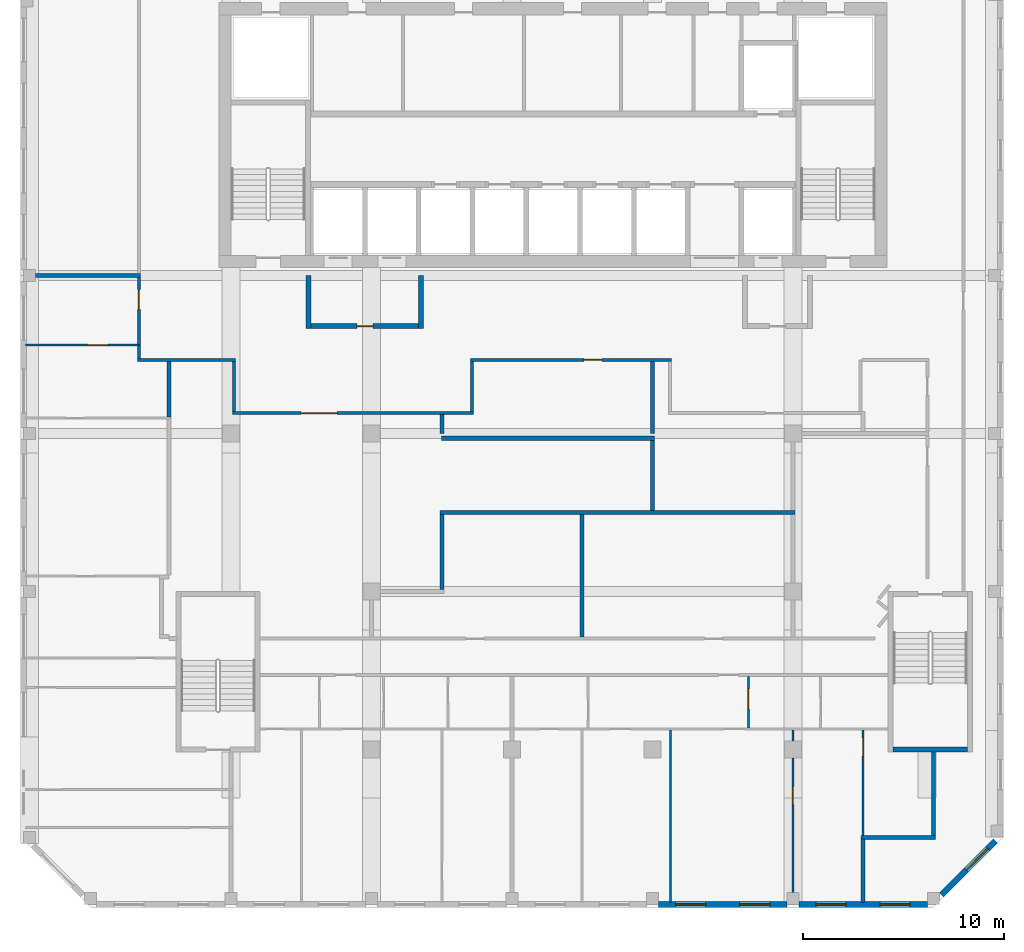
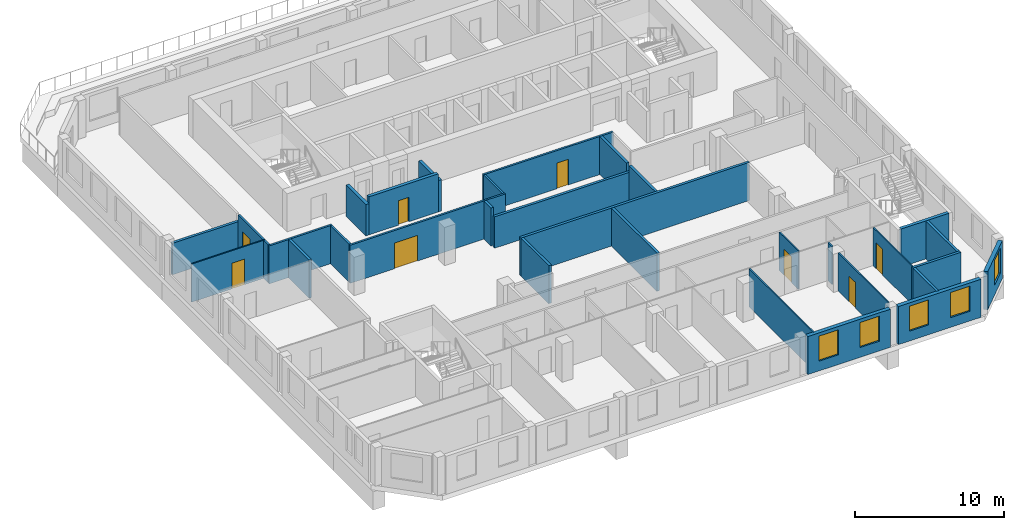
# One storey, part 4 of 12: 32 walls, 8 doors, 5 windows, 13 openings.
"""IFC4 building model written with IfcOpenShell, lengths in metres."""

from ifc_helpers import new_model, si_unit, direction, frame, frame_2d, origin, place, context, subcontext, project, spatial, rectangle, extrude, source, transform, mapped, material, layer, layer_set, type_object, element, fill, save


model = new_model("IFC4")

# Units and contexts
model_context = context("Model", 3, precision=1e-05, world=origin(), true_north=direction((0.0, 1.0)))
body_context = subcontext(model_context, "Body", "Model", "MODEL_VIEW")
ifc_project = project(units=[si_unit("LENGTHUNIT", "METRE"), si_unit("AREAUNIT", "SQUARE_METRE"), si_unit("VOLUMEUNIT", "CUBIC_METRE"), si_unit("PLANEANGLEUNIT", "RADIAN"), si_unit("MASSUNIT", "GRAM", prefix="KILO")], contexts=[model_context])

# Site, building, storey
site_placement = place(None, origin())
site = spatial("IfcSite", under=ifc_project, at=site_placement, CompositionType="ELEMENT")
building_placement = place(site_placement, origin())
building = spatial("IfcBuilding", under=site, at=building_placement, Name="Kilnfold Tower and Market Hall", CompositionType="ELEMENT")
storey_placement = place(building_placement, frame((0.0, 0.0, 295.0)))
storey = spatial("IfcBuildingStorey", under=building, at=storey_placement, Name="L73", CompositionType="ELEMENT", Elevation=295.0)

# Walls
ifc_material_1 = material(Name="Gypsum board on steel studs", Category="steel")
ifc_layer_1 = layer(ifc_material_1, 0.14990234375)
ifc_layer_set_1 = layer_set([ifc_layer_1], Name="Gypsum board on steel studs")
wall_type_1 = type_object("IfcWallType", Name="WALL CORRIDOR 150", PredefinedType="PARTITIONING", material=ifc_layer_set_1)
wall_1_placement = place(storey_placement, frame((-19.675048828125, 3.800048828125, 0.0), z_axis=(0.0, 0.0, 1.0), x_axis=(1.0, 0.0, 0.0)))
element("IfcWall", 1, at=wall_1_placement, inside=storey, type_object=wall_type_1, Name="Partition LY45.1", PredefinedType="PARTITIONING", context=body_context, shape_type="SweptSolid", body=[
    extrude(rectangle(XDim=4.89013671875, YDim=0.14990234375, at=frame_2d((2.445068359375, 0.0))), origin(), (0.0, 0.0, 1.0), 3.1201171875),
])
wall_2_placement = place(storey_placement, frame((-19.60009765625, 3.875, 0.0), z_axis=(0.0, 0.0, 1.0), x_axis=(0.0, 1.0, 0.0)))
element("IfcWall", 2, at=wall_2_placement, inside=storey, type_object=wall_type_1, Name="Partition LY45.2", PredefinedType="PARTITIONING", context=body_context, shape_type="SweptSolid", body=[
    extrude(rectangle(XDim=0.615966796875, YDim=0.14990234375, at=frame_2d((0.30810546875, 0.0))), origin(), (0.0, 0.0, 1.0), 3.1201171875),
])

# Wall, opening, door
wall_3_placement = place(storey_placement, frame((-19.60009765625, 4.571044921875, 0.0), z_axis=(0.0, 0.0, 1.0), x_axis=(0.0, 1.0, 0.0)))
wall_3 = element("IfcWall", 3, at=wall_3_placement, inside=storey, type_object=wall_type_1, Name="Partition LY45.3", PredefinedType="PARTITIONING", context=body_context, shape_type="SweptSolid", body=[
    extrude(rectangle(XDim=3.3388671875, YDim=0.14990234375, at=frame_2d((1.66943359375, 0.0))), origin(), (0.0, 0.0, 1.0), 3.1201171875),
])
opening_1_placement = place(wall_3_placement, frame((1.73095703125, 0.0, 0.0)))
opening_1 = element("IfcOpeningElement", 4, at=opening_1_placement, cuts=wall_3, Name="Opening D1", PredefinedType="OPENING", context=body_context, shape_type="SweptSolid", body=[
    extrude(rectangle(XDim=1.0, YDim=2.10009765625, at=frame_2d((0.5, 1.050048828125))), frame((0.0, 0.0849609375, 0.0), z_axis=(0.0, -1.0, 0.0), x_axis=(1.0, 0.0, 0.0)), (0.0, 0.0, 1.0), 0.169921875),
])
ifc_material_2 = material(Name="Timber veneer door leaf in steel frame", Category="steel")
door_type_1 = type_object("IfcDoorType", Name="DOOR ENTRY 1000 X2100", OperationType="NOTDEFINED", PredefinedType="DOOR", material=ifc_material_2)
door_1_placement = place(opening_1_placement, origin())
door_1 = element("IfcDoor", 5, at=door_1_placement, inside=storey, type_object=door_type_1, Name="Door D1", OperationType="SINGLE_SWING_LEFT", OverallHeight=2.10009765625, OverallWidth=1.0, PredefinedType="DOOR", context=body_context, shape_type="SweptSolid", body=[
    extrude(rectangle(XDim=1.0, YDim=2.10009765625, at=frame_2d((0.5, 1.050048828125))), frame((0.0, 0.02490234375, 0.0), z_axis=(0.0, -1.0, 0.0), x_axis=(1.0, 0.0, 0.0)), (0.0, 0.0, 1.0), 0.050048828125),
])
fill(opening_1, door_1)

wall_4_placement = place(storey_placement, frame((-14.93505859375, 1.14990234375, 0.0), z_axis=(0.0, 0.0, 1.0), x_axis=(1.0, 0.0, 0.0)))
wall_4 = element("IfcWall", 6, at=wall_4_placement, inside=storey, type_object=wall_type_1, Name="Partition LY45.9", PredefinedType="PARTITIONING", context=body_context, shape_type="SweptSolid", body=[
    extrude(rectangle(XDim=12.010009765625, YDim=0.14990234375, at=frame_2d((6.0048828125, 0.0))), origin(), (0.0, 0.0, 1.0), 3.1201171875),
])
opening_2_placement = place(wall_4_placement, frame((3.41796875, 0.0, 0.0)))
opening_2 = element("IfcOpeningElement", 7, at=opening_2_placement, cuts=wall_4, Name="Opening D5", PredefinedType="OPENING", context=body_context, shape_type="SweptSolid", body=[
    extrude(rectangle(XDim=1.800048828125, YDim=2.10009765625, at=frame_2d((0.89990234375, 1.050048828125))), frame((0.0, 0.0849609375, 0.0), z_axis=(0.0, -1.0, 0.0), x_axis=(1.0, 0.0, 0.0)), (0.0, 0.0, 1.0), 0.169921875),
])
ifc_material_3 = material(Name="Timber veneer door leaf in steel frame", Category="steel")
door_type_2 = type_object("IfcDoorType", Name="DOOR DOUBLE 1800 X2100", OperationType="NOTDEFINED", PredefinedType="DOOR", material=ifc_material_3)
door_2_placement = place(opening_2_placement, origin())
door_2 = element("IfcDoor", 8, at=door_2_placement, inside=storey, type_object=door_type_2, Name="Door D5", OperationType="DOUBLE_DOOR_SINGLE_SWING", OverallHeight=2.10009765625, OverallWidth=1.800048828125, PredefinedType="DOOR", context=body_context, shape_type="SweptSolid", body=[
    extrude(rectangle(XDim=1.800048828125, YDim=2.10009765625, at=frame_2d((0.89990234375, 1.050048828125))), frame((0.0, 0.02490234375, 0.0), z_axis=(0.0, -1.0, 0.0), x_axis=(1.0, 0.0, 0.0)), (0.0, 0.0, 1.0), 0.050048828125),
])
fill(opening_2, door_2)

# Wall
wall_5_placement = place(storey_placement, frame((-14.860107421875, 3.72509765625, 0.0), z_axis=(0.0, 0.0, 1.0), x_axis=(0.0, -1.0, 0.0)))
element("IfcWall", 9, at=wall_5_placement, inside=storey, type_object=wall_type_1, Name="Partition LY45.10", PredefinedType="PARTITIONING", context=body_context, shape_type="SweptSolid", body=[
    extrude(rectangle(XDim=2.5, YDim=0.14990234375, at=frame_2d((1.25, 0.0))), origin(), (0.0, 0.0, 1.0), 3.1201171875),
])

# Wall, opening, door
wall_6_placement = place(storey_placement, frame((-3.074951171875, 3.800048828125, 0.0), z_axis=(0.0, 0.0, 1.0), x_axis=(1.0, 0.0, 0.0)))
wall_6 = element("IfcWall", 10, at=wall_6_placement, inside=storey, type_object=wall_type_1, Name="Partition LY45.12", PredefinedType="PARTITIONING", context=body_context, shape_type="SweptSolid", body=[
    extrude(rectangle(XDim=10.030029296875, YDim=0.14990234375, at=frame_2d((5.01513671875, 0.0))), origin(), (0.0, 0.0, 1.0), 3.1201171875),
])
opening_3_placement = place(wall_6_placement, frame((5.659912109375, 0.0, 0.0)))
opening_3 = element("IfcOpeningElement", 11, at=opening_3_placement, cuts=wall_6, Name="Opening D2", PredefinedType="OPENING", context=body_context, shape_type="SweptSolid", body=[
    extrude(rectangle(XDim=0.89990234375, YDim=2.10009765625, at=frame_2d((0.449951171875, 1.050048828125))), frame((0.0, 0.0849609375, 0.0), z_axis=(0.0, -1.0, 0.0), x_axis=(1.0, 0.0, 0.0)), (0.0, 0.0, 1.0), 0.169921875),
])
ifc_material_4 = material(Name="Timber veneer door leaf in steel frame", Category="steel")
door_type_3 = type_object("IfcDoorType", Name="DOOR ROOM 900 X2100", OperationType="NOTDEFINED", PredefinedType="DOOR", material=ifc_material_4)
door_3_placement = place(opening_3_placement, origin())
door_3 = element("IfcDoor", 12, at=door_3_placement, inside=storey, type_object=door_type_3, Name="Door D2", OperationType="SINGLE_SWING_LEFT", OverallHeight=2.10009765625, OverallWidth=0.89990234375, PredefinedType="DOOR", context=body_context, shape_type="SweptSolid", body=[
    extrude(rectangle(XDim=0.89990234375, YDim=2.10009765625, at=frame_2d((0.449951171875, 1.050048828125))), frame((0.0, 0.02490234375, 0.0), z_axis=(0.0, -1.0, 0.0), x_axis=(1.0, 0.0, 0.0)), (0.0, 0.0, 1.0), 0.050048828125),
])
fill(opening_3, door_3)

# Wall
wall_7_placement = place(storey_placement, frame((-3.0, 1.22509765625, 0.0), z_axis=(0.0, 0.0, 1.0), x_axis=(0.0, 1.0, 0.0)))
element("IfcWall", 13, at=wall_7_placement, inside=storey, type_object=wall_type_1, Name="Partition LY45.13", PredefinedType="PARTITIONING", context=body_context, shape_type="SweptSolid", body=[
    extrude(rectangle(XDim=2.5, YDim=0.14990234375, at=frame_2d((1.25, 0.0))), origin(), (0.0, 0.0, 1.0), 3.1201171875),
])

# Wall, opening, door
ifc_material_5 = material(Name="Gypsum board on steel studs", Category="steel")
ifc_layer_2 = layer(ifc_material_5, 0.10009765625)
ifc_layer_set_2 = layer_set([ifc_layer_2], Name="Gypsum board on steel studs")
wall_type_2 = type_object("IfcWallType", Name="WALL PARTITION 100", PredefinedType="PARTITIONING", material=ifc_layer_set_2)
wall_8_placement = place(storey_placement, frame((-19.527099609375, 4.531005859375, 0.0), z_axis=(0.0, 0.0, 1.0), x_axis=(-1.0, 0.0, 0.0)))
wall_8 = element("IfcWall", 14, at=wall_8_placement, inside=storey, type_object=wall_type_2, Name="Partition LY45.37", PredefinedType="PARTITIONING", context=body_context, shape_type="SweptSolid", body=[
    extrude(rectangle(XDim=5.722900390625, YDim=0.10009765625, at=frame_2d((2.861328125, 0.0))), origin(), (0.0, 0.0, 1.0), 3.1201171875),
])
opening_4_placement = place(wall_8_placement, frame((1.60693359375, 0.0, 0.0)))
opening_4 = element("IfcOpeningElement", 15, at=opening_4_placement, cuts=wall_8, Name="Opening D1", PredefinedType="OPENING", context=body_context, shape_type="SweptSolid", body=[
    extrude(rectangle(XDim=1.0, YDim=2.10009765625, at=frame_2d((0.5, 1.050048828125))), frame((0.0, 0.06005859375, 0.0), z_axis=(0.0, -1.0, 0.0), x_axis=(1.0, 0.0, 0.0)), (0.0, 0.0, 1.0), 0.1201171875),
])
door_4_placement = place(opening_4_placement, origin())
door_4 = element("IfcDoor", 16, at=door_4_placement, inside=storey, type_object=door_type_1, Name="Door D1", OperationType="SINGLE_SWING_RIGHT", OverallHeight=2.10009765625, OverallWidth=1.0, PredefinedType="DOOR", context=body_context, shape_type="SweptSolid", body=[
    extrude(rectangle(XDim=1.0, YDim=2.10009765625, at=frame_2d((0.5, 1.050048828125))), frame((0.0, 0.02490234375, 0.0), z_axis=(0.0, -1.0, 0.0), x_axis=(1.0, 0.0, 0.0)), (0.0, 0.0, 1.0), 0.050048828125),
])
fill(opening_4, door_4)

wall_9_placement = place(storey_placement, frame((10.780029296875, -14.550048828125, 0.0), z_axis=(0.0, 0.0, 1.0), x_axis=(0.0, 1.0, 0.0)))
wall_9 = element("IfcWall", 17, at=wall_9_placement, inside=storey, type_object=wall_type_2, Name="Partition LY45.50", PredefinedType="PARTITIONING", context=body_context, shape_type="SweptSolid", body=[
    extrude(rectangle(XDim=2.572998046875, YDim=0.10009765625, at=frame_2d((1.28662109375, 0.0))), origin(), (0.0, 0.0, 1.0), 3.1201171875),
])
opening_5_placement = place(wall_9_placement, frame((0.946044921875, 0.0, 0.0)))
opening_5 = element("IfcOpeningElement", 18, at=opening_5_placement, cuts=wall_9, Name="Opening D1", PredefinedType="OPENING", context=body_context, shape_type="SweptSolid", body=[
    extrude(rectangle(XDim=1.0, YDim=2.10009765625, at=frame_2d((0.5, 1.050048828125))), frame((0.0, 0.06005859375, 0.0), z_axis=(0.0, -1.0, 0.0), x_axis=(1.0, 0.0, 0.0)), (0.0, 0.0, 1.0), 0.1201171875),
])
door_5_placement = place(opening_5_placement, origin())
door_5 = element("IfcDoor", 19, at=door_5_placement, inside=storey, type_object=door_type_1, Name="Door D1", OperationType="SINGLE_SWING_RIGHT", OverallHeight=2.10009765625, OverallWidth=1.0, PredefinedType="DOOR", context=body_context, shape_type="SweptSolid", body=[
    extrude(rectangle(XDim=1.0, YDim=2.10009765625, at=frame_2d((0.5, 1.050048828125))), frame((0.0, 0.02490234375, 0.0), z_axis=(0.0, -1.0, 0.0), x_axis=(1.0, 0.0, 0.0)), (0.0, 0.0, 1.0), 0.050048828125),
])
fill(opening_5, door_5)

# Walls
wall_10_placement = place(storey_placement, frame((6.89990234375, -23.25, 0.0), z_axis=(0.0, 0.0, 1.0), x_axis=(0.0, 1.0, 0.0)))
element("IfcWall", 20, at=wall_10_placement, inside=storey, type_object=wall_type_2, Name="Partition LY45.53", PredefinedType="PARTITIONING", context=body_context, shape_type="SweptSolid", body=[
    extrude(rectangle(XDim=8.597900390625, YDim=0.10009765625, at=frame_2d((4.298828125, 0.0))), origin(), (0.0, 0.0, 1.0), 3.1201171875),
])
wall_11_placement = place(storey_placement, frame((13.0, -15.199951171875, 0.0), z_axis=(0.0, 0.0, 1.0), x_axis=(0.0, 1.0, 0.0)))
element("IfcWall", 21, at=wall_11_placement, inside=storey, type_object=wall_type_2, Name="Partition LY45.54", PredefinedType="PARTITIONING", context=body_context, shape_type="SweptSolid", body=[
    extrude(rectangle(XDim=0.5478515625, YDim=0.10009765625, at=frame_2d((0.27392578125, 0.0))), origin(), (0.0, 0.0, 1.0), 3.1201171875),
])

# Wall, opening, door
wall_12_placement = place(storey_placement, frame((13.0, -22.75, 0.0), z_axis=(0.0, 0.0, 1.0), x_axis=(0.0, 1.0, 0.0)))
wall_12 = element("IfcWall", 22, at=wall_12_placement, inside=storey, type_object=wall_type_2, Name="Partition LY45.55", PredefinedType="PARTITIONING", context=body_context, shape_type="SweptSolid", body=[
    extrude(rectangle(XDim=6.699951171875, YDim=0.10009765625, at=frame_2d((3.35009765625, 0.0))), origin(), (0.0, 0.0, 1.0), 3.1201171875),
])
opening_6_placement = place(wall_12_placement, frame((4.376953125, 0.0, 0.0)))
opening_6 = element("IfcOpeningElement", 23, at=opening_6_placement, cuts=wall_12, Name="Opening D2", PredefinedType="OPENING", context=body_context, shape_type="SweptSolid", body=[
    extrude(rectangle(XDim=0.89990234375, YDim=2.10009765625, at=frame_2d((0.449951171875, 1.050048828125))), frame((0.0, 0.06005859375, 0.0), z_axis=(0.0, -1.0, 0.0), x_axis=(1.0, 0.0, 0.0)), (0.0, 0.0, 1.0), 0.1201171875),
])
door_6_placement = place(opening_6_placement, origin())
door_6 = element("IfcDoor", 24, at=door_6_placement, inside=storey, type_object=door_type_3, Name="Door D2", OperationType="SINGLE_SWING_RIGHT", OverallHeight=2.10009765625, OverallWidth=0.89990234375, PredefinedType="DOOR", context=body_context, shape_type="SweptSolid", body=[
    extrude(rectangle(XDim=0.89990234375, YDim=2.10009765625, at=frame_2d((0.449951171875, 1.050048828125))), frame((0.0, 0.02490234375, 0.0), z_axis=(0.0, -1.0, 0.0), x_axis=(1.0, 0.0, 0.0)), (0.0, 0.0, 1.0), 0.050048828125),
])
fill(opening_6, door_6)

wall_13_placement = place(storey_placement, frame((16.5, -19.909912109375, 0.0), z_axis=(0.0, 0.0, 1.0), x_axis=(0.0, 1.0, 0.0)))
wall_13 = element("IfcWall", 25, at=wall_13_placement, inside=storey, type_object=wall_type_2, Name="Partition LY45.56", PredefinedType="PARTITIONING", context=body_context, shape_type="SweptSolid", body=[
    extrude(rectangle(XDim=5.2578125, YDim=0.10009765625, at=frame_2d((2.62890625, 0.0))), origin(), (0.0, 0.0, 1.0), 3.1201171875),
])
opening_7_placement = place(wall_13_placement, frame((3.955078125, 0.0, 0.0)))
opening_7 = element("IfcOpeningElement", 26, at=opening_7_placement, cuts=wall_13, Name="Opening D2", PredefinedType="OPENING", context=body_context, shape_type="SweptSolid", body=[
    extrude(rectangle(XDim=0.89990234375, YDim=2.10009765625, at=frame_2d((0.449951171875, 1.050048828125))), frame((0.0, 0.06005859375, 0.0), z_axis=(0.0, -1.0, 0.0), x_axis=(1.0, 0.0, 0.0)), (0.0, 0.0, 1.0), 0.1201171875),
])
door_7_placement = place(opening_7_placement, origin())
door_7 = element("IfcDoor", 27, at=door_7_placement, inside=storey, type_object=door_type_3, Name="Door D2", OperationType="SINGLE_SWING_RIGHT", OverallHeight=2.10009765625, OverallWidth=0.89990234375, PredefinedType="DOOR", context=body_context, shape_type="SweptSolid", body=[
    extrude(rectangle(XDim=0.89990234375, YDim=2.10009765625, at=frame_2d((0.449951171875, 1.050048828125))), frame((0.0, 0.02490234375, 0.0), z_axis=(0.0, -1.0, 0.0), x_axis=(1.0, 0.0, 0.0)), (0.0, 0.0, 1.0), 0.050048828125),
])
fill(opening_7, door_7)

# Walls
ifc_material_6 = material(Name="Gypsum board on steel studs", Category="steel")
ifc_layer_3 = layer(ifc_material_6, 0.199951171875)
ifc_layer_set_3 = layer_set([ifc_layer_3], Name="Gypsum board on steel studs")
wall_type_3 = type_object("IfcWallType", Name="WALL PARTY 200", PredefinedType="PARTITIONING", material=ifc_layer_set_3)
wall_14_placement = place(storey_placement, frame((-18.10009765625, 0.944091796875, 0.0), z_axis=(0.0, 0.0, 1.0), x_axis=(0.0, 1.0, 0.0)))
element("IfcWall", 28, at=wall_14_placement, inside=storey, type_object=wall_type_3, Name="Partition LY45.38", PredefinedType="PARTITIONING", context=body_context, shape_type="SweptSolid", body=[
    extrude(rectangle(XDim=2.77880859375, YDim=0.199951171875, at=frame_2d((1.389404296875, 0.0))), origin(), (0.0, 0.0, 1.0), 3.1201171875),
])
wall_15_placement = place(storey_placement, frame((-19.527099609375, 8.0, 0.0), z_axis=(0.0, 0.0, 1.0), x_axis=(-1.0, 0.0, 0.0)))
element("IfcWall", 29, at=wall_15_placement, inside=storey, type_object=wall_type_3, Name="Partition LY45.39", PredefinedType="PARTITIONING", context=body_context, shape_type="SweptSolid", body=[
    extrude(rectangle(XDim=5.222900390625, YDim=0.199951171875, at=frame_2d((2.611328125, 0.0))), origin(), (0.0, 0.0, 1.0), 2.570068359375),
])
wall_16_placement = place(storey_placement, frame((16.5, -23.25, 0.0), z_axis=(0.0, 0.0, 1.0), x_axis=(0.0, 1.0, 0.0)))
element("IfcWall", 30, at=wall_16_placement, inside=storey, type_object=wall_type_3, Name="Partition LY45.57", PredefinedType="PARTITIONING", context=body_context, shape_type="SweptSolid", body=[
    extrude(rectangle(XDim=3.159912109375, YDim=0.199951171875, at=frame_2d((1.580078125, 0.0))), origin(), (0.0, 0.0, 1.0), 3.1201171875),
])
wall_17_placement = place(storey_placement, frame((20.0, -19.89990234375, 0.0), z_axis=(0.0, 0.0, 1.0), x_axis=(0.0, 1.0, 0.0)))
element("IfcWall", 31, at=wall_17_placement, inside=storey, type_object=wall_type_3, Name="Partition LY45.58", PredefinedType="PARTITIONING", context=body_context, shape_type="SweptSolid", body=[
    extrude(rectangle(XDim=4.14990234375, YDim=0.199951171875, at=frame_2d((2.074951171875, 0.0))), origin(), (0.0, 0.0, 1.0), 3.1201171875),
])
wall_18_placement = place(storey_placement, frame((16.39990234375, -20.0, 0.0), z_axis=(0.0, 0.0, 1.0), x_axis=(1.0, 0.0, 0.0)))
element("IfcWall", 32, at=wall_18_placement, inside=storey, type_object=wall_type_3, Name="Partition LY45.59", PredefinedType="PARTITIONING", context=body_context, shape_type="SweptSolid", body=[
    extrude(rectangle(XDim=3.7001953125, YDim=0.199951171875, at=frame_2d((1.85009765625, 0.0))), origin(), (0.0, 0.0, 1.0), 3.1201171875),
])
wall_19_placement = place(storey_placement, frame((-4.60009765625, -3.81201171875, 0.0), z_axis=(0.0, 0.0, 1.0), x_axis=(1.0, 0.0, 0.0)))
element("IfcWall", 33, at=wall_19_placement, inside=storey, type_object=wall_type_3, Name="Partition LY45.62", PredefinedType="PARTITIONING", context=body_context, shape_type="SweptSolid", body=[
    extrude(rectangle(XDim=17.7001953125, YDim=0.199951171875, at=frame_2d((8.85009765625, 0.0))), origin(), (0.0, 0.0, 1.0), 3.1201171875),
])
wall_20_placement = place(storey_placement, frame((-4.5, -7.64990234375, 0.0), z_axis=(0.0, 0.0, 1.0), x_axis=(0.0, 1.0, 0.0)))
element("IfcWall", 34, at=wall_20_placement, inside=storey, type_object=wall_type_3, Name="Partition LY45.63", PredefinedType="PARTITIONING", context=body_context, shape_type="SweptSolid", body=[
    extrude(rectangle(XDim=3.73779296875, YDim=0.199951171875, at=frame_2d((1.868896484375, 0.0))), origin(), (0.0, 0.0, 1.0), 3.1201171875),
])
wall_21_placement = place(storey_placement, frame((-4.5, 0.126953125, 0.0), z_axis=(0.0, 0.0, 1.0), x_axis=(0.0, 1.0, 0.0)))
element("IfcWall", 35, at=wall_21_placement, inside=storey, type_object=wall_type_3, Name="Partition LY45.66", PredefinedType="PARTITIONING", context=body_context, shape_type="SweptSolid", body=[
    extrude(rectangle(XDim=0.946044921875, YDim=0.199951171875, at=frame_2d((0.47314453125, 0.0))), origin(), (0.0, 0.0, 1.0), 3.1201171875),
])
wall_22_placement = place(storey_placement, frame((6.10009765625, -0.10888671875, 0.0), z_axis=(0.0, 0.0, 1.0), x_axis=(-1.0, 0.0, 0.0)))
element("IfcWall", 36, at=wall_22_placement, inside=storey, type_object=wall_type_3, Name="Partition LY45.67", PredefinedType="PARTITIONING", context=body_context, shape_type="SweptSolid", body=[
    extrude(rectangle(XDim=10.60205078125, YDim=0.199951171875, at=frame_2d((5.301025390625, 0.0))), origin(), (0.0, 0.0, 1.0), 2.570068359375),
])
wall_23_placement = place(storey_placement, frame((6.0, -3.7119140625, 0.0), z_axis=(0.0, 0.0, 1.0), x_axis=(0.0, 1.0, 0.0)))
element("IfcWall", 37, at=wall_23_placement, inside=storey, type_object=wall_type_3, Name="Partition LY45.68", PredefinedType="PARTITIONING", context=body_context, shape_type="SweptSolid", body=[
    extrude(rectangle(XDim=3.5029296875, YDim=0.199951171875, at=frame_2d((1.75146484375, 0.0))), origin(), (0.0, 0.0, 1.0), 3.1201171875),
])
wall_24_placement = place(storey_placement, frame((2.5, -10.02294921875, 0.0), z_axis=(0.0, 0.0, 1.0), x_axis=(0.0, 1.0, 0.0)))
element("IfcWall", 38, at=wall_24_placement, inside=storey, type_object=wall_type_3, Name="Partition LY45.69", PredefinedType="PARTITIONING", context=body_context, shape_type="SweptSolid", body=[
    extrude(rectangle(XDim=6.11083984375, YDim=0.199951171875, at=frame_2d((3.055419921875, 0.0))), origin(), (0.0, 0.0, 1.0), 3.1201171875),
])
wall_25_placement = place(storey_placement, frame((6.0, 0.135986328125, 0.0), z_axis=(0.0, 0.0, 1.0), x_axis=(0.0, 1.0, 0.0)))
element("IfcWall", 39, at=wall_25_placement, inside=storey, type_object=wall_type_3, Name="Partition LY45.70", PredefinedType="PARTITIONING", context=body_context, shape_type="SweptSolid", body=[
    extrude(rectangle(XDim=3.5869140625, YDim=0.199951171875, at=frame_2d((1.79345703125, 0.0))), origin(), (0.0, 0.0, 1.0), 3.1201171875),
])
ifc_material_7 = material(Name="Concrete C50", Category="concrete")
ifc_layer_4 = layer(ifc_material_7, 0.25)
ifc_layer_set_4 = layer_set([ifc_layer_4], Name="Concrete C50")
wall_type_4 = type_object("IfcWallType", Name="CORE WALL 250 C50", PredefinedType="SHEAR", material=ifc_layer_set_4)
shared_shape_1 = source(origin(), body_context, "Body", "SweptSolid", [
    extrude(rectangle(XDim=3.699951171875, YDim=0.25, at=frame_2d((1.85009765625, 0.0))), origin(), (0.0, 0.0, 1.0), 3.1201171875),
])
wall_26_placement = place(storey_placement, frame((18.0, -15.625, 0.0), z_axis=(0.0, 0.0, 1.0), x_axis=(1.0, 0.0, 0.0)))
element("IfcWall", 40, at=wall_26_placement, inside=storey, type_object=wall_type_4, Name="Stair enclosure ST4", PredefinedType="SHEAR", context=body_context, shape_type="MappedRepresentation", body=[
    mapped(shared_shape_1, transform((0.0, 0.0, 0.0))),
])

# Wall, openings, windows
ifc_material_8 = material(Name="Precast concrete C50/60", Category="concrete")
ifc_layer_5 = layer(ifc_material_8, 0.300048828125)
ifc_layer_set_5 = layer_set([ifc_layer_5], Name="Precast concrete C50/60")
wall_type_5 = type_object("IfcWallType", Name="PRECAST WALL 300", PredefinedType="SOLIDWALL", material=ifc_layer_set_5)
shared_shape_2 = source(origin(), body_context, "Body", "SweptSolid", [
    extrude(rectangle(XDim=6.39990234375, YDim=0.300048828125, at=frame_2d((3.199951171875, 0.0))), origin(), (0.0, 0.0, 1.0), 3.1201171875),
])
wall_27_placement = place(storey_placement, frame((6.300048828125, -23.35009765625, 0.0), z_axis=(0.0, 0.0, 1.0), x_axis=(1.0, 0.0, 0.0)))
wall_27 = element("IfcWall", 41, at=wall_27_placement, inside=storey, type_object=wall_type_5, Name="External wall L73 S", PredefinedType="SOLIDWALL", context=body_context, shape_type="MappedRepresentation", body=[
    mapped(shared_shape_2, transform((0.0, 0.0, 0.0))),
])
opening_8_placement = place(wall_27_placement, frame((0.85009765625, 0.0, 0.800048828125)))
opening_8 = element("IfcOpeningElement", 42, at=opening_8_placement, cuts=wall_27, Name="Opening W5", PredefinedType="OPENING", context=body_context, shape_type="SweptSolid", body=[
    extrude(rectangle(XDim=1.5, YDim=2.050048828125, at=frame_2d((0.75, 1.02490234375))), frame((0.0, 0.16015625, 0.0), z_axis=(0.0, -1.0, 0.0), x_axis=(1.0, 0.0, 0.0)), (0.0, 0.0, 1.0), 0.320068359375),
])
opening_9_placement = place(wall_27_placement, frame((4.050048828125, 0.0, 0.800048828125)))
opening_9 = element("IfcOpeningElement", 43, at=opening_9_placement, cuts=wall_27, Name="Opening W5", PredefinedType="OPENING", context=body_context, shape_type="SweptSolid", body=[
    extrude(rectangle(XDim=1.5, YDim=2.050048828125, at=frame_2d((0.75, 1.02490234375))), frame((0.0, 0.16015625, 0.0), z_axis=(0.0, -1.0, 0.0), x_axis=(1.0, 0.0, 0.0)), (0.0, 0.0, 1.0), 0.320068359375),
])
ifc_material_9 = material(Name="Aluminium frame and double glazing", Category="aluminium")
window_type = type_object("IfcWindowType", Name="WINDOW W5 1500X2050", PartitioningType="SINGLE_PANEL", PredefinedType="WINDOW", material=ifc_material_9)
window_1_placement = place(opening_8_placement, origin())
window_1 = element("IfcWindow", 44, at=window_1_placement, inside=storey, type_object=window_type, Name="Window W5 L73 S-1", OverallHeight=2.050048828125, OverallWidth=1.5, PartitioningType="SINGLE_PANEL", PredefinedType="WINDOW", context=body_context, shape_type="SweptSolid", body=[
    extrude(rectangle(XDim=1.5, YDim=2.050048828125, at=frame_2d((0.75, 1.02490234375))), frame((0.0, 0.030029296875, 0.0), z_axis=(0.0, -1.0, 0.0), x_axis=(1.0, 0.0, 0.0)), (0.0, 0.0, 1.0), 0.06005859375),
])
fill(opening_8, window_1)
window_2_placement = place(opening_9_placement, origin())
window_2 = element("IfcWindow", 45, at=window_2_placement, inside=storey, type_object=window_type, Name="Window W5 L73 S-2", OverallHeight=2.050048828125, OverallWidth=1.5, PartitioningType="SINGLE_PANEL", PredefinedType="WINDOW", context=body_context, shape_type="SweptSolid", body=[
    extrude(rectangle(XDim=1.5, YDim=2.050048828125, at=frame_2d((0.75, 1.02490234375))), frame((0.0, 0.030029296875, 0.0), z_axis=(0.0, -1.0, 0.0), x_axis=(1.0, 0.0, 0.0)), (0.0, 0.0, 1.0), 0.06005859375),
])
fill(opening_9, window_2)

wall_28_placement = place(storey_placement, frame((13.300048828125, -23.35009765625, 0.0), z_axis=(0.0, 0.0, 1.0), x_axis=(1.0, 0.0, 0.0)))
wall_28 = element("IfcWall", 46, at=wall_28_placement, inside=storey, type_object=wall_type_5, Name="External wall L73 S", PredefinedType="SOLIDWALL", context=body_context, shape_type="MappedRepresentation", body=[
    mapped(shared_shape_2, transform((0.0, 0.0, 0.0))),
])
opening_10_placement = place(wall_28_placement, frame((0.85009765625, 0.0, 0.800048828125)))
opening_10 = element("IfcOpeningElement", 47, at=opening_10_placement, cuts=wall_28, Name="Opening W5", PredefinedType="OPENING", context=body_context, shape_type="SweptSolid", body=[
    extrude(rectangle(XDim=1.5, YDim=2.050048828125, at=frame_2d((0.75, 1.02490234375))), frame((0.0, 0.16015625, 0.0), z_axis=(0.0, -1.0, 0.0), x_axis=(1.0, 0.0, 0.0)), (0.0, 0.0, 1.0), 0.320068359375),
])
opening_11_placement = place(wall_28_placement, frame((4.050048828125, 0.0, 0.800048828125)))
opening_11 = element("IfcOpeningElement", 48, at=opening_11_placement, cuts=wall_28, Name="Opening W5", PredefinedType="OPENING", context=body_context, shape_type="SweptSolid", body=[
    extrude(rectangle(XDim=1.5, YDim=2.050048828125, at=frame_2d((0.75, 1.02490234375))), frame((0.0, 0.16015625, 0.0), z_axis=(0.0, -1.0, 0.0), x_axis=(1.0, 0.0, 0.0)), (0.0, 0.0, 1.0), 0.320068359375),
])
window_3_placement = place(opening_10_placement, origin())
window_3 = element("IfcWindow", 49, at=window_3_placement, inside=storey, type_object=window_type, Name="Window W5 L73 S-1", OverallHeight=2.050048828125, OverallWidth=1.5, PartitioningType="SINGLE_PANEL", PredefinedType="WINDOW", context=body_context, shape_type="SweptSolid", body=[
    extrude(rectangle(XDim=1.5, YDim=2.050048828125, at=frame_2d((0.75, 1.02490234375))), frame((0.0, 0.030029296875, 0.0), z_axis=(0.0, -1.0, 0.0), x_axis=(1.0, 0.0, 0.0)), (0.0, 0.0, 1.0), 0.06005859375),
])
fill(opening_10, window_3)
window_4_placement = place(opening_11_placement, origin())
window_4 = element("IfcWindow", 50, at=window_4_placement, inside=storey, type_object=window_type, Name="Window W5 L73 S-2", OverallHeight=2.050048828125, OverallWidth=1.5, PartitioningType="SINGLE_PANEL", PredefinedType="WINDOW", context=body_context, shape_type="SweptSolid", body=[
    extrude(rectangle(XDim=1.5, YDim=2.050048828125, at=frame_2d((0.75, 1.02490234375))), frame((0.0, 0.030029296875, 0.0), z_axis=(0.0, -1.0, 0.0), x_axis=(1.0, 0.0, 0.0)), (0.0, 0.0, 1.0), 0.06005859375),
])
fill(opening_11, window_4)

# Wall, opening, window
shared_shape_3 = source(origin(), body_context, "Body", "SweptSolid", [
    extrude(rectangle(XDim=3.783203125, YDim=0.300048828125, at=frame_2d((1.8916015625, 0.0))), origin(), (0.0, 0.0, 1.0), 3.1201171875),
])
wall_29_placement = place(storey_placement, frame((20.4189453125, -22.868896484375, 0.0), z_axis=(0.0, 0.0, 1.0), x_axis=(0.707106781187, 0.707106781187, 0.0)))
wall_29 = element("IfcWall", 51, at=wall_29_placement, inside=storey, type_object=wall_type_5, Name="External wall L73 SE", PredefinedType="SOLIDWALL", context=body_context, shape_type="MappedRepresentation", body=[
    mapped(shared_shape_3, transform((0.0, 0.0, 0.0))),
])
opening_12_placement = place(wall_29_placement, frame((1.75, 0.0, 0.800048828125)))
opening_12 = element("IfcOpeningElement", 52, at=opening_12_placement, cuts=wall_29, Name="Opening W5", PredefinedType="OPENING", context=body_context, shape_type="SweptSolid", body=[
    extrude(rectangle(XDim=1.5, YDim=2.050048828125, at=frame_2d((0.75, 1.02490234375))), frame((0.0, 0.16015625, 0.0), z_axis=(0.0, -1.0, 0.0), x_axis=(1.0, 0.0, 0.0)), (0.0, 0.0, 1.0), 0.320068359375),
])
window_5_placement = place(opening_12_placement, origin())
window_5 = element("IfcWindow", 53, at=window_5_placement, inside=storey, type_object=window_type, Name="Window W5 L73 SE-1", OverallHeight=2.050048828125, OverallWidth=1.5, PartitioningType="SINGLE_PANEL", PredefinedType="WINDOW", context=body_context, shape_type="SweptSolid", body=[
    extrude(rectangle(XDim=1.5, YDim=2.050048828125, at=frame_2d((0.75, 1.02490234375))), frame((0.0, 0.030029296875, 0.0), z_axis=(0.0, -1.0, 0.0), x_axis=(1.0, 0.0, 0.0)), (0.0, 0.0, 1.0), 0.06005859375),
])
fill(opening_12, window_5)

# Wall, opening, door
ifc_material_10 = material(Name="Gypsum shaft wall system")
ifc_layer_6 = layer(ifc_material_10, 0.25)
ifc_layer_set_6 = layer_set([ifc_layer_6], Name="Gypsum shaft wall system")
wall_type_6 = type_object("IfcWallType", Name="LOBBY WALL 250", PredefinedType="PARTITIONING", material=ifc_layer_set_6)
shared_shape_4 = source(origin(), body_context, "Body", "SweptSolid", [
    extrude(rectangle(XDim=5.360107421875, YDim=0.25, at=frame_2d((2.68017578125, 0.0))), origin(), (0.0, 0.0, 1.0), 3.1201171875),
])
wall_30_placement = place(storey_placement, frame((-11.010009765625, 5.47509765625, 0.0), z_axis=(0.0, 0.0, 1.0), x_axis=(1.0, 0.0, 0.0)))
wall_30 = element("IfcWall", 54, at=wall_30_placement, inside=storey, type_object=wall_type_6, Name="Firefighting lobby wall", PredefinedType="PARTITIONING", context=body_context, shape_type="MappedRepresentation", body=[
    mapped(shared_shape_4, transform((0.0, 0.0, 0.0))),
])
opening_13_placement = place(wall_30_placement, frame((2.280029296875, 0.0, 0.0)))
opening_13 = element("IfcOpeningElement", 55, at=opening_13_placement, cuts=wall_30, Name="Opening VD1", PredefinedType="OPENING", context=body_context, shape_type="SweptSolid", body=[
    extrude(rectangle(XDim=0.800048828125, YDim=2.0, at=frame_2d((0.39990234375, 1.0))), frame((0.0, 0.135009765625, 0.0), z_axis=(0.0, -1.0, 0.0), x_axis=(1.0, 0.0, 0.0)), (0.0, 0.0, 1.0), 0.27001953125),
])
ifc_material_11 = material(Name="Steel door set with fire-resisting leaf", Category="steel")
door_type_4 = type_object("IfcDoorType", Name="FIREFIGHTING LOBBY DOOR 800X2000", OperationType="NOTDEFINED", PredefinedType="DOOR", material=ifc_material_11)
door_8_placement = place(opening_13_placement, origin())
door_8 = element("IfcDoor", 56, at=door_8_placement, inside=storey, type_object=door_type_4, Name="Firefighting lobby door", OperationType="SINGLE_SWING_LEFT", OverallHeight=2.0, OverallWidth=0.800048828125, PredefinedType="DOOR", context=body_context, shape_type="SweptSolid", body=[
    extrude(rectangle(XDim=0.800048828125, YDim=2.0, at=frame_2d((0.39990234375, 1.0))), frame((0.0, 0.02490234375, 0.0), z_axis=(0.0, -1.0, 0.0), x_axis=(1.0, 0.0, 0.0)), (0.0, 0.0, 1.0), 0.050048828125),
])
fill(opening_13, door_8)

# Walls
shared_shape_5 = source(origin(), body_context, "Body", "SweptSolid", [
    extrude(rectangle(XDim=2.64990234375, YDim=0.25, at=frame_2d((1.324951171875, 0.0))), origin(), (0.0, 0.0, 1.0), 2.570068359375),
])
for number, where, z_axis, x_axis, name in (
    (57, (-11.135009765625, 5.35009765625, 0.0), (0.0, 0.0, 1.0), (0.0, 1.0, 0.0), "Firefighting lobby wall"),
    (58, (-5.52490234375, 5.35009765625, 0.0), (0.0, 0.0, 1.0), (0.0, 1.0, 0.0), "Firefighting lobby wall"),
):
    element("IfcWall", number, at=place(storey_placement, frame(where, z_axis=z_axis, x_axis=x_axis)), inside=storey, type_object=wall_type_6, Name=name, PredefinedType="PARTITIONING", context=body_context, shape_type="MappedRepresentation", body=[
        mapped(shared_shape_5, transform((0.0, 0.0, 0.0))),
    ])

save(model, "model.ifc")
